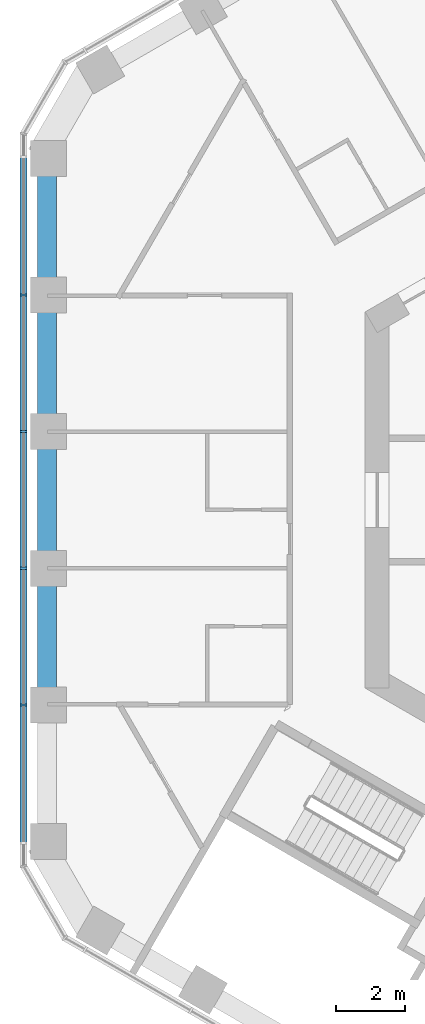
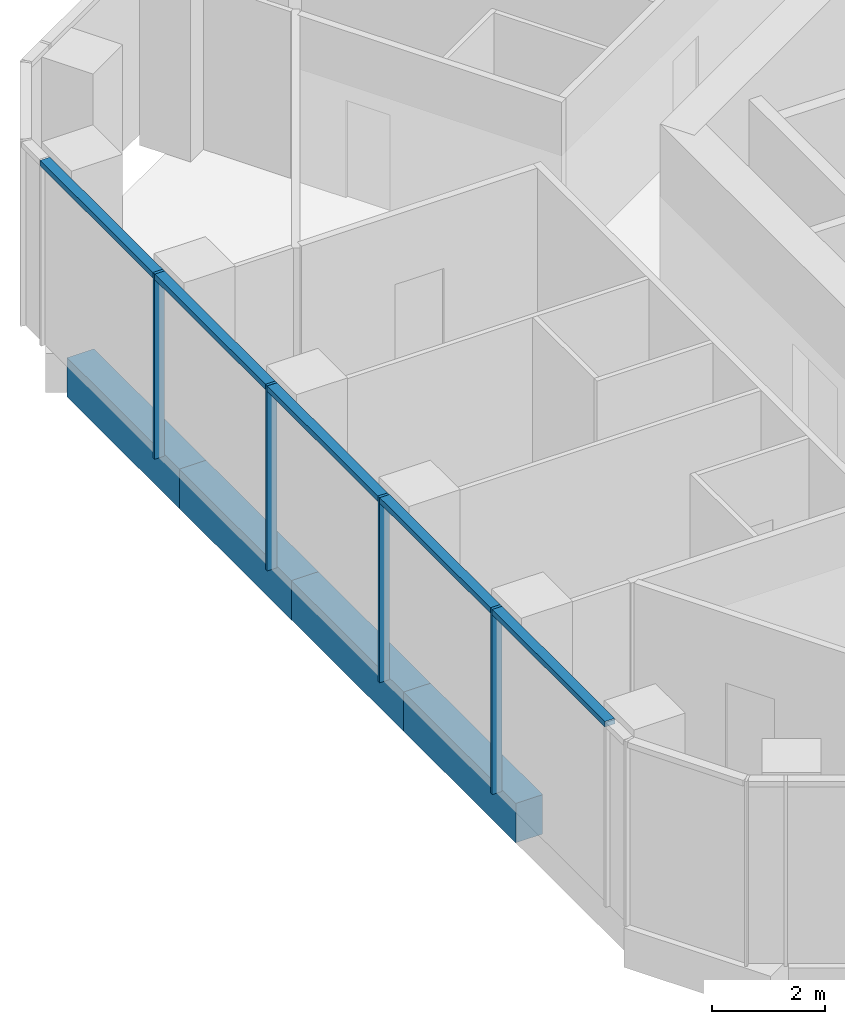
# One storey, part 4 of 24: 5 members, 4 beams, 1 element without a shape of its own.
"""IFC4 building model written with IfcOpenShell, lengths in metres."""

from ifc_helpers import new_model, si_unit, direction, frame, origin, origin_2d, place, context, subcontext, project, spatial, rectangle, extrude, material, layer, layer_set, material_profile, profile_set, type_object, element, aggregate, save


model = new_model("IFC4")

# Units and contexts
model_context = context("Model", 3, precision=1e-05, world=origin(), true_north=direction((0.0, 1.0)))
body_context = subcontext(model_context, "Body", "Model", "MODEL_VIEW")
ifc_project = project(units=[si_unit("LENGTHUNIT", "METRE"), si_unit("AREAUNIT", "SQUARE_METRE"), si_unit("VOLUMEUNIT", "CUBIC_METRE"), si_unit("PLANEANGLEUNIT", "RADIAN"), si_unit("MASSUNIT", "GRAM", prefix="KILO")], contexts=[model_context])

# Site, building, storey
site_placement = place(None, origin())
site = spatial("IfcSite", under=ifc_project, at=site_placement, CompositionType="ELEMENT")
building_placement = place(site_placement, origin())
building = spatial("IfcBuilding", under=site, at=building_placement, Name="Ayvan Gate Tower", CompositionType="ELEMENT")
storey_placement = place(building_placement, frame((0.0, 0.0, 124.5)))
storey = spatial("IfcBuildingStorey", under=building, at=storey_placement, Name="L33", CompositionType="ELEMENT", Elevation=124.5)

# Beams
ifc_material_1 = material(Name="Concrete C40/50", Category="concrete")
ifc_material_profile_1 = material_profile(ifc_material_1, rectangle(XDim=0.550048828125, YDim=0.85009765625, at=origin_2d()), Name="RC 550x850")
ifc_profile_set_1 = profile_set([ifc_material_profile_1], Name="Concrete C40/50")
beam_type = type_object("IfcBeamType", Name="Spandrel beam RC 550x850 C40/50", PredefinedType="BEAM", material=ifc_profile_set_1)
for number, where, z_axis, x_axis, name in (
    (1, (-18.77734375, 9.9267578125, -0.824951171875), (0.0, -1.0, 0.0), (1.0, 0.0, 0.0), "SB-L33-19"),
    (2, (-18.77734375, 5.9560546875, -0.824951171875), (0.0, -1.0, 0.0), (1.0, 0.0, 0.0), "SB-L33-20"),
    (3, (-18.77734375, 1.9853515625, -0.824951171875), (0.0, -1.0, 0.0), (1.0, 0.0, 0.0), "SB-L33-21"),
    (4, (-18.77734375, -1.9853515625, -0.824951171875), (0.0, -1.0, 0.0), (1.0, 0.0, 0.0), "SB-L33-22"),
):
    element("IfcBeam", number, at=place(storey_placement, frame(where, z_axis=z_axis, x_axis=x_axis)), inside=storey, type_object=beam_type, Name=name, PredefinedType="BEAM", context=body_context, shape_type="SweptSolid", body=[
        extrude(rectangle(XDim=0.550048828125, YDim=0.85009765625, at=origin_2d()), origin(), (0.0, 0.0, 1.0), 3.970703125),
    ])

# Curtain wall, members
ifc_material_2 = material(Name="Bronze anodised aluminium", Category="aluminium")
ifc_layer = layer(ifc_material_2, 0.199951171875)
ifc_layer_set = layer_set([ifc_layer], Name="Bronze anodised aluminium")
curtain_wall_type = type_object("IfcCurtainWallType", Name="Stick curtain wall CW-1", PredefinedType="NOTDEFINED", material=ifc_layer_set)
curtain_wall_placement = place(storey_placement, origin())
curtain_wall = element("IfcCurtainWall", 5, at=curtain_wall_placement, inside=storey, type_object=curtain_wall_type, Name="Stick curtain wall CW-1 L33", PredefinedType="NOTDEFINED")
ifc_material_profile_2 = material_profile(ifc_material_2, rectangle(XDim=0.199951171875, YDim=0.06005859375, at=origin_2d()), Name="Stick curtain wall CW-1 mullion 200 x 60")
ifc_profile_set_2 = profile_set([ifc_material_profile_2], Name="Bronze anodised aluminium")
member_type_1 = type_object("IfcMemberType", Name="Stick curtain wall CW-1 mullion 200 x 60", PredefinedType="MULLION", material=ifc_profile_set_2)
member_1_placement = place(storey_placement, frame((-19.462890625, 5.973388671875, 0.0), z_axis=(0.0, 0.0, 1.0), x_axis=(-1.0, 0.0, 0.0)))
member_1 = element("IfcMember", 6, at=member_1_placement, type_object=member_type_1, Name="CW-1 mullion 2", PredefinedType="MULLION", context=body_context, shape_type="SweptSolid", body=[
    extrude(rectangle(XDim=0.199951171875, YDim=0.06005859375, at=origin_2d()), origin(), (0.0, 0.0, 1.0), 4.0),
])
member_2_placement = place(storey_placement, frame((-19.462890625, 1.9912109375, 0.0), z_axis=(0.0, 0.0, 1.0), x_axis=(-1.0, 0.0, 0.0)))
member_2 = element("IfcMember", 7, at=member_2_placement, type_object=member_type_1, Name="CW-1 mullion 3", PredefinedType="MULLION", context=body_context, shape_type="SweptSolid", body=[
    extrude(rectangle(XDim=0.199951171875, YDim=0.06005859375, at=origin_2d()), origin(), (0.0, 0.0, 1.0), 4.0),
])
member_3_placement = place(storey_placement, frame((-19.462890625, -1.99072265625, 0.0), z_axis=(0.0, 0.0, 1.0), x_axis=(-1.0, 0.0, 0.0)))
member_3 = element("IfcMember", 8, at=member_3_placement, type_object=member_type_1, Name="CW-1 mullion 4", PredefinedType="MULLION", context=body_context, shape_type="SweptSolid", body=[
    extrude(rectangle(XDim=0.199951171875, YDim=0.06005859375, at=origin_2d()), origin(), (0.0, 0.0, 1.0), 4.0),
])
member_4_placement = place(storey_placement, frame((-19.462890625, -5.9736328125, 0.0), z_axis=(0.0, 0.0, 1.0), x_axis=(-1.0, 0.0, 0.0)))
member_4 = element("IfcMember", 9, at=member_4_placement, type_object=member_type_1, Name="CW-1 mullion 5", PredefinedType="MULLION", context=body_context, shape_type="SweptSolid", body=[
    extrude(rectangle(XDim=0.199951171875, YDim=0.06005859375, at=origin_2d()), origin(), (0.0, 0.0, 1.0), 4.0),
])
ifc_material_profile_3 = material_profile(ifc_material_2, rectangle(XDim=0.199951171875, YDim=0.1201171875, at=origin_2d()), Name="Stick curtain wall CW-1 transom 200 x 120")
ifc_profile_set_3 = profile_set([ifc_material_profile_3], Name="Bronze anodised aluminium")
member_type_2 = type_object("IfcMemberType", Name="Stick curtain wall CW-1 transom 200 x 120", PredefinedType="USERDEFINED", material=ifc_profile_set_3)
member_5_placement = place(storey_placement, frame((-19.462890625, 9.997314453125, 3.93994140625), z_axis=(0.0, -1.0, 0.0), x_axis=(1.0, 0.0, 0.0)))
member_5 = element("IfcMember", 10, at=member_5_placement, type_object=member_type_2, Name="CW-1 transom 1", ObjectType="TRANSOM", PredefinedType="USERDEFINED", context=body_context, shape_type="SweptSolid", body=[
    extrude(rectangle(XDim=0.199951171875, YDim=0.1201171875, at=origin_2d()), origin(), (0.0, 0.0, 1.0), 19.99462890625),
])
aggregate(curtain_wall, [member_1, member_2, member_3, member_4, member_5])

save(model, "model.ifc")
